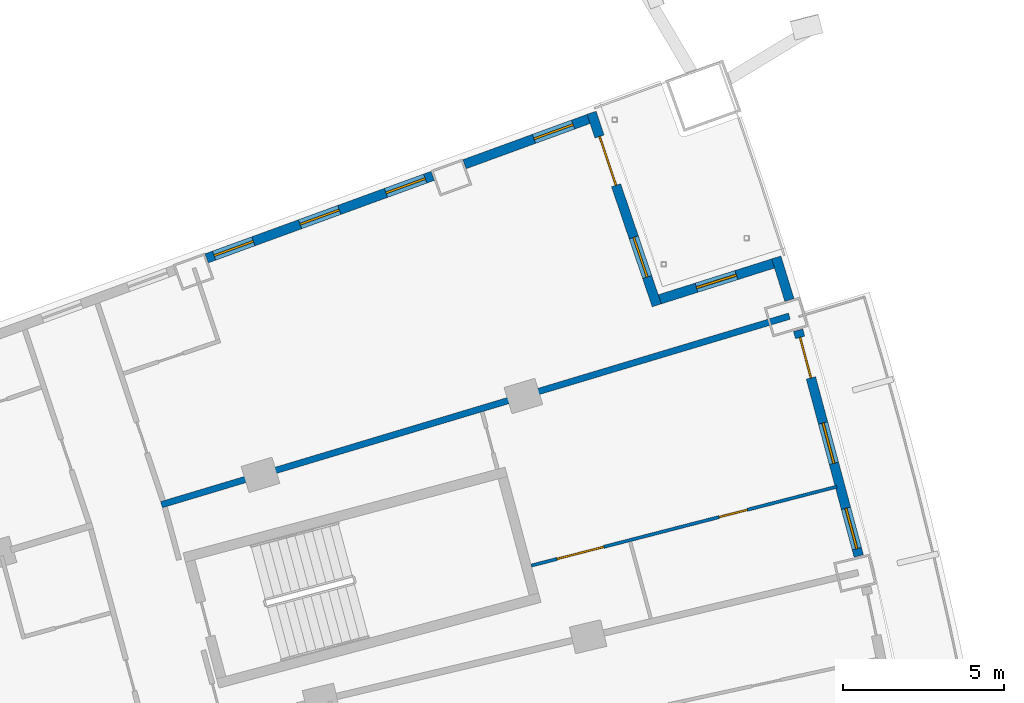
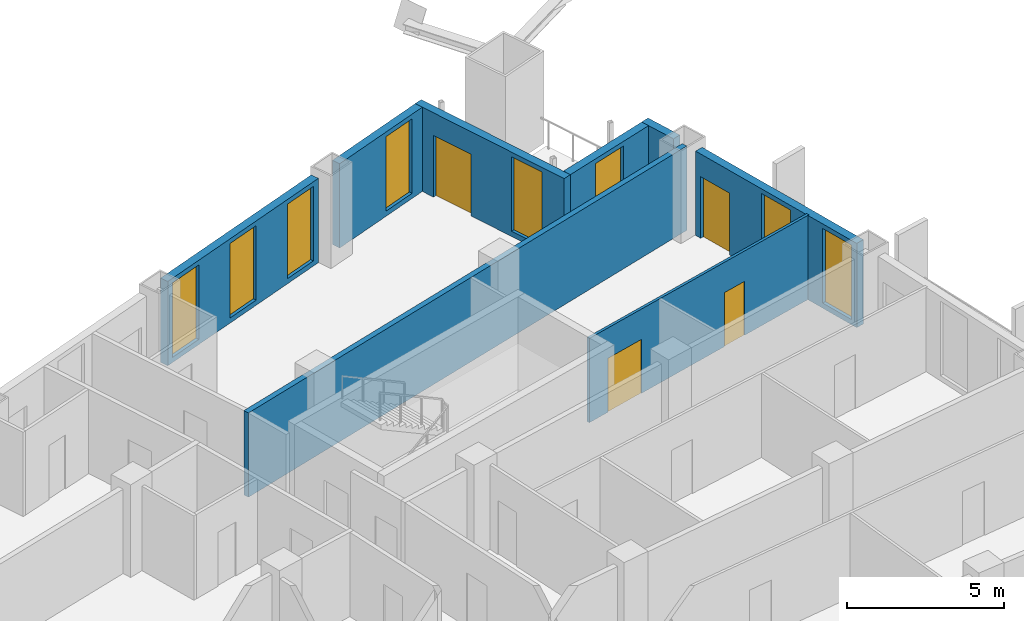
# One storey, part 18 of 23: 8 walls, 8 windows, 4 doors, 12 openings.
"""IFC4 building model written with IfcOpenShell, lengths in metres."""

from ifc_helpers import new_model, si_unit, direction, frame, frame_2d, origin, place, context, subcontext, project, spatial, rectangle, extrude, material, layer, layer_set, type_object, element, fill, save


model = new_model("IFC4")

# Units and contexts
model_context = context("Model", 3, precision=1e-05, world=origin(), true_north=direction((0.0, 1.0)))
body_context = subcontext(model_context, "Body", "Model", "MODEL_VIEW")
ifc_project = project(units=[si_unit("LENGTHUNIT", "METRE"), si_unit("AREAUNIT", "SQUARE_METRE"), si_unit("VOLUMEUNIT", "CUBIC_METRE"), si_unit("PLANEANGLEUNIT", "RADIAN"), si_unit("MASSUNIT", "GRAM", prefix="KILO")], contexts=[model_context])

# Site, building, storey
site_placement = place(None, origin())
site = spatial("IfcSite", under=ifc_project, at=site_placement, CompositionType="ELEMENT")
building_placement = place(site_placement, origin())
building = spatial("IfcBuilding", under=site, at=building_placement, Name="Alderwake Tower", CompositionType="ELEMENT")
storey_placement = place(building_placement, frame((0.0, 0.0, 100.39990234375)))
storey = spatial("IfcBuildingStorey", under=building, at=storey_placement, Name="L24", CompositionType="ELEMENT", Elevation=100.39990234375)

# Wall, openings, door, windows
ifc_material_1 = material(Name="Precast concrete C50/60 spandrel panel", Category="concrete")
ifc_layer_1 = layer(ifc_material_1, 0.300048828125)
ifc_layer_set_1 = layer_set([ifc_layer_1], Name="External wall EW1 Precast concrete C50/60 spandrel")
wall_type_1 = type_object("IfcWallType", Name="External wall EW1 Precast concrete C50/60 spandrel", PredefinedType="SOLIDWALL", material=ifc_layer_set_1)
wall_1_placement = place(storey_placement, frame((57.681884765625, 94.234375, 0.0), z_axis=(0.0, 0.0, 1.0), x_axis=(-0.259469611771, 0.96575127262, 0.0)))
wall_1 = element("IfcWall", 1, at=wall_1_placement, inside=storey, type_object=wall_type_1, Name="External wall 21", PredefinedType="SOLIDWALL", context=body_context, shape_type="SweptSolid", body=[
    extrude(rectangle(XDim=7.263916015625, YDim=0.300048828125, at=frame_2d((3.6318359375, 0.0))), origin(), (0.0, 0.0, 1.0), 3.280029296875),
])
opening_1_placement = place(wall_1_placement, frame((0.23291015625, 0.0, 0.199951171875)))
opening_1 = element("IfcOpeningElement", 2, at=opening_1_placement, cuts=wall_1, Name="Opening W1", PredefinedType="OPENING", context=body_context, shape_type="SweptSolid", body=[
    extrude(rectangle(XDim=1.300048828125, YDim=2.89990234375, at=frame_2d((0.64990234375, 1.449951171875))), frame((0.0, 0.159912109375, 0.0), z_axis=(0.0, -1.0, 0.0), x_axis=(1.0, 0.0, 0.0)), (0.0, 0.0, 1.0), 0.320068359375),
])
opening_2_placement = place(wall_1_placement, frame((2.98193359375, 0.0, 0.199951171875)))
opening_2 = element("IfcOpeningElement", 3, at=opening_2_placement, cuts=wall_1, Name="Opening W1", PredefinedType="OPENING", context=body_context, shape_type="SweptSolid", body=[
    extrude(rectangle(XDim=1.300048828125, YDim=2.89990234375, at=frame_2d((0.64990234375, 1.449951171875))), frame((0.0, 0.159912109375, 0.0), z_axis=(0.0, -1.0, 0.0), x_axis=(1.0, 0.0, 0.0)), (0.0, 0.0, 1.0), 0.320068359375),
])
opening_3_placement = place(wall_1_placement, frame((5.73095703125, 0.0, 0.0)))
opening_3 = element("IfcOpeningElement", 4, at=opening_3_placement, cuts=wall_1, Name="Opening D11", PredefinedType="OPENING", context=body_context, shape_type="SweptSolid", body=[
    extrude(rectangle(XDim=1.300048828125, YDim=2.39990234375, at=frame_2d((0.64990234375, 1.199951171875))), frame((0.0, 0.159912109375, 0.0), z_axis=(0.0, -1.0, 0.0), x_axis=(1.0, 0.0, 0.0)), (0.0, 0.0, 1.0), 0.320068359375),
])
ifc_material_2 = material(Name="Bronze tinted glass in aluminium frame", Category="aluminium")
door_type_1 = type_object("IfcDoorType", Name="Balcony door BD sliding", OperationType="SLIDING_TO_LEFT", PredefinedType="DOOR", material=ifc_material_2)
door_1_placement = place(opening_3_placement, origin())
door_1 = element("IfcDoor", 5, at=door_1_placement, inside=storey, type_object=door_type_1, Name="Door D11", OperationType="SLIDING_TO_LEFT", OverallHeight=2.39990234375, OverallWidth=1.300048828125, PredefinedType="DOOR", context=body_context, shape_type="SweptSolid", body=[
    extrude(rectangle(XDim=1.300048828125, YDim=2.39990234375, at=frame_2d((0.64990234375, 1.199951171875))), frame((0.0, 0.02490234375, 0.0), z_axis=(0.0, -1.0, 0.0), x_axis=(1.0, 0.0, 0.0)), (0.0, 0.0, 1.0), 0.050048828125),
])
fill(opening_3, door_1)
ifc_material_3 = material(Name="Bronze tinted glass in aluminium frame", Category="aluminium")
window_type = type_object("IfcWindowType", Name="Window W1 tall fixed and vent", PartitioningType="DOUBLE_PANEL_VERTICAL", PredefinedType="WINDOW", material=ifc_material_3)
window_1_placement = place(opening_1_placement, origin())
window_1 = element("IfcWindow", 6, at=window_1_placement, inside=storey, type_object=window_type, Name="Window W1 tall fixed and vent", OverallHeight=2.89990234375, OverallWidth=1.300048828125, PartitioningType="DOUBLE_PANEL_VERTICAL", PredefinedType="WINDOW", context=body_context, shape_type="SweptSolid", body=[
    extrude(rectangle(XDim=1.300048828125, YDim=2.89990234375, at=frame_2d((0.64990234375, 1.449951171875))), frame((0.0, 0.030029296875, 0.0), z_axis=(0.0, -1.0, 0.0), x_axis=(1.0, 0.0, 0.0)), (0.0, 0.0, 1.0), 0.06005859375),
])
fill(opening_1, window_1)
window_2_placement = place(opening_2_placement, origin())
window_2 = element("IfcWindow", 7, at=window_2_placement, inside=storey, type_object=window_type, Name="Window W1 tall fixed and vent", OverallHeight=2.89990234375, OverallWidth=1.300048828125, PartitioningType="DOUBLE_PANEL_VERTICAL", PredefinedType="WINDOW", context=body_context, shape_type="SweptSolid", body=[
    extrude(rectangle(XDim=1.300048828125, YDim=2.89990234375, at=frame_2d((0.64990234375, 1.449951171875))), frame((0.0, 0.030029296875, 0.0), z_axis=(0.0, -1.0, 0.0), x_axis=(1.0, 0.0, 0.0)), (0.0, 0.0, 1.0), 0.06005859375),
])
fill(opening_2, window_2)

# Wall
wall_2_placement = place(storey_placement, frame((55.52587890625, 102.19091796875, 0.0), z_axis=(0.0, 0.0, 1.0), x_axis=(-0.294407922697, 0.955679849664, 0.0)))
element("IfcWall", 8, at=wall_2_placement, inside=storey, type_object=wall_type_1, Name="External wall 22", PredefinedType="SOLIDWALL", context=body_context, shape_type="SweptSolid", body=[
    extrude(rectangle(XDim=1.384765625, YDim=0.300048828125, at=frame_2d((0.6923828125, 0.0))), origin(), (0.0, 0.0, 1.0), 3.280029296875),
])

# Wall, opening, window
ifc_material_4 = material(Name="Bronze metal cladding on lightweight framing")
ifc_layer_2 = layer(ifc_material_4, 0.300048828125)
ifc_layer_set_2 = layer_set([ifc_layer_2], Name="External wall EW2 bronze metal cladding")
wall_type_2 = type_object("IfcWallType", Name="External wall EW2 bronze metal cladding", PredefinedType="SOLIDWALL", material=ifc_layer_set_2)
wall_3_placement = place(storey_placement, frame((55.019287109375, 103.32568359375, 0.0), z_axis=(0.0, 0.0, 1.0), x_axis=(-0.953472737628, -0.301479250697, 0.0)))
wall_3 = element("IfcWall", 9, at=wall_3_placement, inside=storey, type_object=wall_type_2, Name="External wall 23", PredefinedType="SOLIDWALL", context=body_context, shape_type="SweptSolid", body=[
    extrude(rectangle(XDim=3.6943359375, YDim=0.300048828125, at=frame_2d((1.84716796875, 0.0))), origin(), (0.0, 0.0, 1.0), 3.280029296875),
])
opening_4_placement = place(wall_3_placement, frame((1.197021484375, 0.0, 0.199951171875)))
opening_4 = element("IfcOpeningElement", 10, at=opening_4_placement, cuts=wall_3, Name="Opening W1", PredefinedType="OPENING", context=body_context, shape_type="SweptSolid", body=[
    extrude(rectangle(XDim=1.300048828125, YDim=2.89990234375, at=frame_2d((0.64990234375, 1.449951171875))), frame((0.0, 0.159912109375, 0.0), z_axis=(0.0, -1.0, 0.0), x_axis=(1.0, 0.0, 0.0)), (0.0, 0.0, 1.0), 0.320068359375),
])
window_3_placement = place(opening_4_placement, origin())
window_3 = element("IfcWindow", 11, at=window_3_placement, inside=storey, type_object=window_type, Name="Window W1 tall fixed and vent", OverallHeight=2.89990234375, OverallWidth=1.300048828125, PartitioningType="DOUBLE_PANEL_VERTICAL", PredefinedType="WINDOW", context=body_context, shape_type="SweptSolid", body=[
    extrude(rectangle(XDim=1.300048828125, YDim=2.89990234375, at=frame_2d((0.64990234375, 1.449951171875))), frame((0.0, 0.030029296875, 0.0), z_axis=(0.0, -1.0, 0.0), x_axis=(1.0, 0.0, 0.0)), (0.0, 0.0, 1.0), 0.06005859375),
])
fill(opening_4, window_3)

# Wall, openings, door, window
wall_4_placement = place(storey_placement, frame((51.402099609375, 102.024658203125, 0.0), z_axis=(0.0, 0.0, 1.0), x_axis=(-0.320927729287, 0.947103686285, 0.0)))
wall_4 = element("IfcWall", 12, at=wall_4_placement, inside=storey, type_object=wall_type_2, Name="External wall 24", PredefinedType="SOLIDWALL", context=body_context, shape_type="SweptSolid", body=[
    extrude(rectangle(XDim=6.32177734375, YDim=0.300048828125, at=frame_2d((3.160888671875, 0.0))), origin(), (0.0, 0.0, 1.0), 3.280029296875),
])
opening_5_placement = place(wall_4_placement, frame((0.930419921875, 0.0, 0.199951171875)))
opening_5 = element("IfcOpeningElement", 13, at=opening_5_placement, cuts=wall_4, Name="Opening W1", PredefinedType="OPENING", context=body_context, shape_type="SweptSolid", body=[
    extrude(rectangle(XDim=1.300048828125, YDim=2.89990234375, at=frame_2d((0.64990234375, 1.449951171875))), frame((0.0, 0.159912109375, 0.0), z_axis=(0.0, -1.0, 0.0), x_axis=(1.0, 0.0, 0.0)), (0.0, 0.0, 1.0), 0.320068359375),
])
opening_6_placement = place(wall_4_placement, frame((3.94140625, 0.0, 0.0)))
opening_6 = element("IfcOpeningElement", 14, at=opening_6_placement, cuts=wall_4, Name="Opening D12", PredefinedType="OPENING", context=body_context, shape_type="SweptSolid", body=[
    extrude(rectangle(XDim=1.60009765625, YDim=2.39990234375, at=frame_2d((0.800048828125, 1.199951171875))), frame((0.0, 0.159912109375, 0.0), z_axis=(0.0, -1.0, 0.0), x_axis=(1.0, 0.0, 0.0)), (0.0, 0.0, 1.0), 0.320068359375),
])
ifc_material_5 = material(Name="Bronze tinted glass in aluminium frame", Category="aluminium")
door_type_2 = type_object("IfcDoorType", Name="Terrace door TD sliding", OperationType="SLIDING_TO_LEFT", PredefinedType="DOOR", material=ifc_material_5)
door_2_placement = place(opening_6_placement, origin())
door_2 = element("IfcDoor", 15, at=door_2_placement, inside=storey, type_object=door_type_2, Name="Door D12", OperationType="SLIDING_TO_LEFT", OverallHeight=2.39990234375, OverallWidth=1.60009765625, PredefinedType="DOOR", context=body_context, shape_type="SweptSolid", body=[
    extrude(rectangle(XDim=1.60009765625, YDim=2.39990234375, at=frame_2d((0.800048828125, 1.199951171875))), frame((0.0, 0.02490234375, 0.0), z_axis=(0.0, -1.0, 0.0), x_axis=(1.0, 0.0, 0.0)), (0.0, 0.0, 1.0), 0.050048828125),
])
fill(opening_6, door_2)
window_4_placement = place(opening_5_placement, origin())
window_4 = element("IfcWindow", 16, at=window_4_placement, inside=storey, type_object=window_type, Name="Window W1 tall fixed and vent", OverallHeight=2.89990234375, OverallWidth=1.300048828125, PartitioningType="DOUBLE_PANEL_VERTICAL", PredefinedType="WINDOW", context=body_context, shape_type="SweptSolid", body=[
    extrude(rectangle(XDim=1.300048828125, YDim=2.89990234375, at=frame_2d((0.64990234375, 1.449951171875))), frame((0.0, 0.030029296875, 0.0), z_axis=(0.0, -1.0, 0.0), x_axis=(1.0, 0.0, 0.0)), (0.0, 0.0, 1.0), 0.06005859375),
])
fill(opening_5, window_4)

# Wall, opening, window
wall_5_placement = place(storey_placement, frame((49.280517578125, 107.818603515625, 0.0), z_axis=(0.0, 0.0, 1.0), x_axis=(-0.93936370706, -0.342922477913, 0.0)))
wall_5 = element("IfcWall", 17, at=wall_5_placement, inside=storey, type_object=wall_type_2, Name="External wall 25", PredefinedType="SOLIDWALL", context=body_context, shape_type="SweptSolid", body=[
    extrude(rectangle(XDim=4.104248046875, YDim=0.300048828125, at=frame_2d((2.05224609375, 0.0))), origin(), (0.0, 0.0, 1.0), 3.280029296875),
])
opening_7_placement = place(wall_5_placement, frame((0.5078125, 0.0, 0.199951171875)))
opening_7 = element("IfcOpeningElement", 18, at=opening_7_placement, cuts=wall_5, Name="Opening W1", PredefinedType="OPENING", context=body_context, shape_type="SweptSolid", body=[
    extrude(rectangle(XDim=1.300048828125, YDim=2.89990234375, at=frame_2d((0.64990234375, 1.449951171875))), frame((0.0, 0.159912109375, 0.0), z_axis=(0.0, -1.0, 0.0), x_axis=(1.0, 0.0, 0.0)), (0.0, 0.0, 1.0), 0.320068359375),
])
window_5_placement = place(opening_7_placement, origin())
window_5 = element("IfcWindow", 19, at=window_5_placement, inside=storey, type_object=window_type, Name="Window W1 tall fixed and vent", OverallHeight=2.89990234375, OverallWidth=1.300048828125, PartitioningType="DOUBLE_PANEL_VERTICAL", PredefinedType="WINDOW", context=body_context, shape_type="SweptSolid", body=[
    extrude(rectangle(XDim=1.300048828125, YDim=2.89990234375, at=frame_2d((0.64990234375, 1.449951171875))), frame((0.0, 0.030029296875, 0.0), z_axis=(0.0, -1.0, 0.0), x_axis=(1.0, 0.0, 0.0)), (0.0, 0.0, 1.0), 0.06005859375),
])
fill(opening_7, window_5)

# Wall, openings, windows
wall_6_placement = place(storey_placement, frame((44.43505859375, 106.0498046875, 0.0), z_axis=(0.0, 0.0, 1.0), x_axis=(-0.939370505087, -0.342903855582, 0.0)))
wall_6 = element("IfcWall", 20, at=wall_6_placement, inside=storey, type_object=wall_type_2, Name="External wall 26", PredefinedType="SOLIDWALL", context=body_context, shape_type="SweptSolid", body=[
    extrude(rectangle(XDim=7.479248046875, YDim=0.300048828125, at=frame_2d((3.73974609375, 0.0))), origin(), (0.0, 0.0, 1.0), 3.280029296875),
])
opening_8_placement = place(wall_6_placement, frame((0.245361328125, 0.0, 0.199951171875)))
opening_8 = element("IfcOpeningElement", 21, at=opening_8_placement, cuts=wall_6, Name="Opening W1", PredefinedType="OPENING", context=body_context, shape_type="SweptSolid", body=[
    extrude(rectangle(XDim=1.300048828125, YDim=2.89990234375, at=frame_2d((0.64990234375, 1.449951171875))), frame((0.0, 0.159912109375, 0.0), z_axis=(0.0, -1.0, 0.0), x_axis=(1.0, 0.0, 0.0)), (0.0, 0.0, 1.0), 0.320068359375),
])
opening_9_placement = place(wall_6_placement, frame((3.08984375, 0.0, 0.199951171875)))
opening_9 = element("IfcOpeningElement", 22, at=opening_9_placement, cuts=wall_6, Name="Opening W1", PredefinedType="OPENING", context=body_context, shape_type="SweptSolid", body=[
    extrude(rectangle(XDim=1.300048828125, YDim=2.89990234375, at=frame_2d((0.64990234375, 1.449951171875))), frame((0.0, 0.159912109375, 0.0), z_axis=(0.0, -1.0, 0.0), x_axis=(1.0, 0.0, 0.0)), (0.0, 0.0, 1.0), 0.320068359375),
])
opening_10_placement = place(wall_6_placement, frame((5.934326171875, 0.0, 0.199951171875)))
opening_10 = element("IfcOpeningElement", 23, at=opening_10_placement, cuts=wall_6, Name="Opening W1", PredefinedType="OPENING", context=body_context, shape_type="SweptSolid", body=[
    extrude(rectangle(XDim=1.300048828125, YDim=2.89990234375, at=frame_2d((0.64990234375, 1.449951171875))), frame((0.0, 0.159912109375, 0.0), z_axis=(0.0, -1.0, 0.0), x_axis=(1.0, 0.0, 0.0)), (0.0, 0.0, 1.0), 0.320068359375),
])
window_6_placement = place(opening_8_placement, origin())
window_6 = element("IfcWindow", 24, at=window_6_placement, inside=storey, type_object=window_type, Name="Window W1 tall fixed and vent", OverallHeight=2.89990234375, OverallWidth=1.300048828125, PartitioningType="DOUBLE_PANEL_VERTICAL", PredefinedType="WINDOW", context=body_context, shape_type="SweptSolid", body=[
    extrude(rectangle(XDim=1.300048828125, YDim=2.89990234375, at=frame_2d((0.64990234375, 1.449951171875))), frame((0.0, 0.030029296875, 0.0), z_axis=(0.0, -1.0, 0.0), x_axis=(1.0, 0.0, 0.0)), (0.0, 0.0, 1.0), 0.06005859375),
])
fill(opening_8, window_6)
window_7_placement = place(opening_9_placement, origin())
window_7 = element("IfcWindow", 25, at=window_7_placement, inside=storey, type_object=window_type, Name="Window W1 tall fixed and vent", OverallHeight=2.89990234375, OverallWidth=1.300048828125, PartitioningType="DOUBLE_PANEL_VERTICAL", PredefinedType="WINDOW", context=body_context, shape_type="SweptSolid", body=[
    extrude(rectangle(XDim=1.300048828125, YDim=2.89990234375, at=frame_2d((0.64990234375, 1.449951171875))), frame((0.0, 0.030029296875, 0.0), z_axis=(0.0, -1.0, 0.0), x_axis=(1.0, 0.0, 0.0)), (0.0, 0.0, 1.0), 0.06005859375),
])
fill(opening_9, window_7)
window_8_placement = place(opening_10_placement, origin())
window_8 = element("IfcWindow", 26, at=window_8_placement, inside=storey, type_object=window_type, Name="Window W1 tall fixed and vent", OverallHeight=2.89990234375, OverallWidth=1.300048828125, PartitioningType="DOUBLE_PANEL_VERTICAL", PredefinedType="WINDOW", context=body_context, shape_type="SweptSolid", body=[
    extrude(rectangle(XDim=1.300048828125, YDim=2.89990234375, at=frame_2d((0.64990234375, 1.449951171875))), frame((0.0, 0.030029296875, 0.0), z_axis=(0.0, -1.0, 0.0), x_axis=(1.0, 0.0, 0.0)), (0.0, 0.0, 1.0), 0.06005859375),
])
fill(opening_10, window_8)

# Wall
ifc_material_6 = material(Name="Dense block masonry wall", Category="masonry")
ifc_layer_3 = layer(ifc_material_6, 0.199951171875)
ifc_layer_set_3 = layer_set([ifc_layer_3], Name="Party wall 200")
wall_type_3 = type_object("IfcWallType", Name="Party wall 200", PredefinedType="SOLIDWALL", material=ifc_layer_set_3)
wall_7_placement = place(storey_placement, frame((55.52392578125, 101.68798828125, 0.0), z_axis=(0.0, 0.0, 1.0), x_axis=(-0.957755700348, -0.287583063566, 0.0)))
element("IfcWall", 27, at=wall_7_placement, inside=storey, type_object=wall_type_3, Name="WL/L24/W09", PredefinedType="SOLIDWALL", context=body_context, shape_type="SweptSolid", body=[
    extrude(rectangle(XDim=20.38037109375, YDim=0.199951171875, at=frame_2d((10.190185546875, 0.0))), origin(), (0.0, 0.0, 1.0), 3.280029296875),
])

# Wall, openings, doors
ifc_material_7 = material(Name="Gypsum board on metal studs")
ifc_layer_4 = layer(ifc_material_7, 0.10009765625)
ifc_layer_set_4 = layer_set([ifc_layer_4], Name="Unit partition 100")
wall_type_4 = type_object("IfcWallType", Name="Unit partition 100", PredefinedType="PARTITIONING", material=ifc_layer_set_4)
wall_8_placement = place(storey_placement, frame((47.4990234375, 93.93310546875, 0.0), z_axis=(0.0, 0.0, 1.0), x_axis=(0.968228176194, 0.250068388296, 0.0)))
wall_8 = element("IfcWall", 28, at=wall_8_placement, inside=storey, type_object=wall_type_4, Name="WL/L24/W80", PredefinedType="PARTITIONING", context=body_context, shape_type="SweptSolid", body=[
    extrude(rectangle(XDim=9.812744140625, YDim=0.10009765625, at=frame_2d((4.90625, 0.0))), origin(), (0.0, 0.0, 1.0), 3.280029296875),
])
opening_11_placement = place(wall_8_placement, frame((0.831787109375, 0.0, 0.0)))
opening_11 = element("IfcOpeningElement", 29, at=opening_11_placement, cuts=wall_8, Name="Opening R06-U02.2", PredefinedType="OPENING", context=body_context, shape_type="SweptSolid", body=[
    extrude(rectangle(XDim=1.5, YDim=2.10009765625, at=frame_2d((0.75, 1.050048828125))), frame((0.0, 0.06005859375, 0.0), z_axis=(0.0, -1.0, 0.0), x_axis=(1.0, 0.0, 0.0)), (0.0, 0.0, 1.0), 0.1201171875),
])
opening_12_placement = place(wall_8_placement, frame((6.0380859375, 0.0, 0.0)))
opening_12 = element("IfcOpeningElement", 30, at=opening_12_placement, cuts=wall_8, Name="Opening R06-U02.3", PredefinedType="OPENING", context=body_context, shape_type="SweptSolid", body=[
    extrude(rectangle(XDim=0.89990234375, YDim=2.10009765625, at=frame_2d((0.449951171875, 1.050048828125))), frame((0.0, 0.06005859375, 0.0), z_axis=(0.0, -1.0, 0.0), x_axis=(1.0, 0.0, 0.0)), (0.0, 0.0, 1.0), 0.1201171875),
])
ifc_material_8 = material(Name="Painted timber leaves", Category="wood")
door_type_3 = type_object("IfcDoorType", Name="Double leaf door 1500", OperationType="DOUBLE_DOOR_SINGLE_SWING", PredefinedType="DOOR", material=ifc_material_8)
door_3_placement = place(opening_11_placement, origin())
door_3 = element("IfcDoor", 31, at=door_3_placement, inside=storey, type_object=door_type_3, Name="DR/L24/U02.2", OperationType="DOUBLE_DOOR_SINGLE_SWING", OverallHeight=2.10009765625, OverallWidth=1.5, PredefinedType="DOOR", context=body_context, shape_type="SweptSolid", body=[
    extrude(rectangle(XDim=1.5, YDim=2.10009765625, at=frame_2d((0.75, 1.050048828125))), frame((0.0, 0.02490234375, 0.0), z_axis=(0.0, -1.0, 0.0), x_axis=(1.0, 0.0, 0.0)), (0.0, 0.0, 1.0), 0.050048828125),
])
fill(opening_11, door_3)
ifc_material_9 = material(Name="Painted timber leaf", Category="wood")
door_type_4 = type_object("IfcDoorType", Name="Room door 900", OperationType="SINGLE_SWING_LEFT", PredefinedType="DOOR", material=ifc_material_9)
door_4_placement = place(opening_12_placement, origin())
door_4 = element("IfcDoor", 32, at=door_4_placement, inside=storey, type_object=door_type_4, Name="DR/L24/U02.3", OperationType="SINGLE_SWING_LEFT", OverallHeight=2.10009765625, OverallWidth=0.89990234375, PredefinedType="DOOR", context=body_context, shape_type="SweptSolid", body=[
    extrude(rectangle(XDim=0.89990234375, YDim=2.10009765625, at=frame_2d((0.449951171875, 1.050048828125))), frame((0.0, 0.02490234375, 0.0), z_axis=(0.0, -1.0, 0.0), x_axis=(1.0, 0.0, 0.0)), (0.0, 0.0, 1.0), 0.050048828125),
])
fill(opening_12, door_4)

save(model, "model.ifc")
